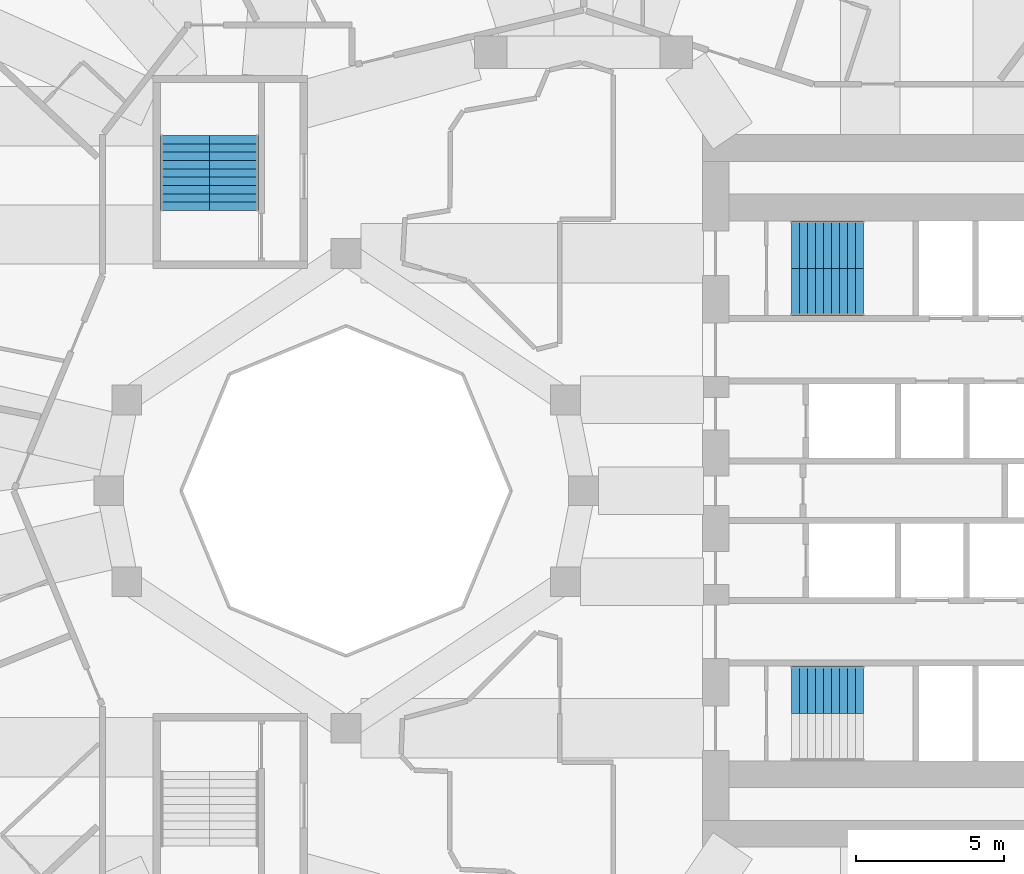
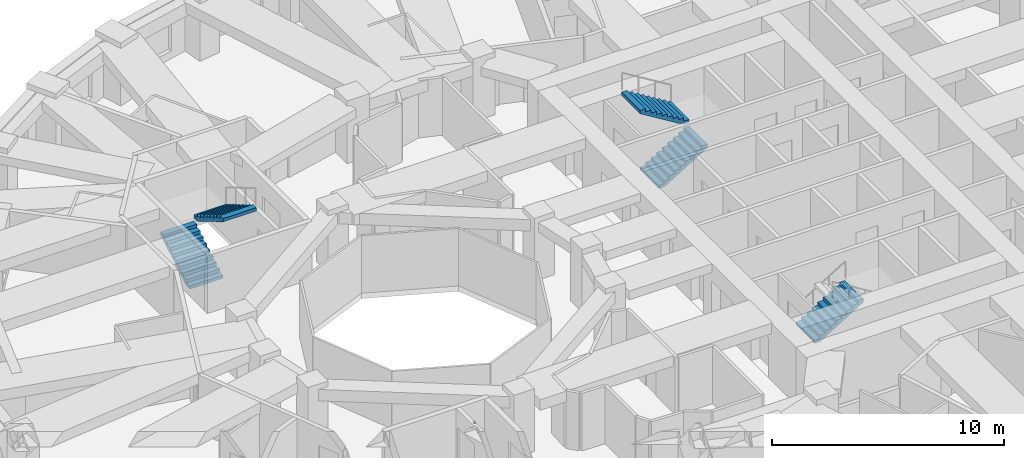
# One storey, part 10 of 13: 5 stair flights, 3 elements without a shape of their own.
"""IFC4 building model written with IfcOpenShell, lengths in metres."""

import ifcopenshell
import ifcopenshell.guid

model = None  # the IFC model being written
_history = None  # IfcOwnerHistory: only IFC2X3 demands one
_inside = {}  # id of a spatial element -> (the spatial element, [elements in it])
_under = {}  # id of a project, library or spatial element -> (it, [spatial elements below it])
_declared = {}  # id of a project -> (the project, [libraries it declares])
_typed = {}  # id of a type object -> (the type object, [elements of that type])
_made_of = {}  # id of a material, layer set ... -> (it, [elements and type objects made of it])


def new_model(schema):
    """Start an empty IFC model of exactly this schema.

    Asked for "IFC4X3", IfcOpenShell would pick the latest addendum, in which some entities
    have other attributes; the version numbers below select the first issue.
    IFC2X3 requires an IfcOwnerHistory on every rooted entity: one is made here for all.
    """
    global model, _history
    if schema == "IFC4X3":
        model = ifcopenshell.file(schema_version=(4, 3, 0, 0))
    else:
        model = ifcopenshell.file(schema=schema)
    _inside.clear()
    _under.clear()
    _declared.clear()
    _typed.clear()
    _made_of.clear()
    _history = None
    if model.schema == "IFC2X3":
        org = make("IfcOrganization", Name="unknown")
        user = make(
            "IfcPersonAndOrganization",
            ThePerson=make("IfcPerson", FamilyName="unknown"),
            TheOrganization=org,
        )
        app = make(
            "IfcApplication",
            ApplicationDeveloper=org,
            Version="unknown",
            ApplicationFullName="unknown",
            ApplicationIdentifier="unknown",
        )
        _history = make(
            "IfcOwnerHistory",
            OwningUser=user,
            OwningApplication=app,
            ChangeAction="ADDED",
            CreationDate=0,
        )
    return model


def make(cls, **values):
    """One entity of the class cls with the attributes given. An attribute that is None is left unset."""
    return model.create_entity(
        cls, **{name: value for name, value in values.items() if value is not None}
    )


def rooted(cls, **values):
    """An entity with a GlobalId (a new one), such as an element, a storey or a relation."""
    return make(cls, GlobalId=ifcopenshell.guid.new(), OwnerHistory=_history, **values)


def si_unit(unit_type, name, prefix=None):
    """IfcSIUnit, for example si_unit("LENGTHUNIT", "METRE", prefix="MILLI")."""
    return make("IfcSIUnit", UnitType=unit_type, Prefix=prefix, Name=name)


def assignment(units):
    """IfcUnitAssignment: the units of a project."""
    return None if units is None else make("IfcUnitAssignment", Units=units)


def point(xyz):
    """IfcCartesianPoint."""
    return None if xyz is None else make("IfcCartesianPoint", Coordinates=xyz)


def direction(xyz):
    """IfcDirection."""
    return None if xyz is None else make("IfcDirection", DirectionRatios=xyz)


def frame(location, z_axis=None, x_axis=None):
    """IfcAxis2Placement3D, a coordinate frame: its origin and axes. An axis left out is left unset."""
    return make(
        "IfcAxis2Placement3D",
        Location=point(location),
        Axis=direction(z_axis),
        RefDirection=direction(x_axis),
    )


def origin():
    """The frame at (0, 0, 0) with its axes left unset."""
    return frame((0.0, 0.0, 0.0))


def place(relative_to, where):
    """IfcLocalPlacement: puts the frame where relative to a parent placement (None: the world)."""
    return make(
        "IfcLocalPlacement", PlacementRelTo=relative_to, RelativePlacement=where
    )


def context(
    kind, dimensions, precision=None, world=None, true_north=None, identifier=None
):
    """IfcGeometricRepresentationContext, for example the 3D "Model" context."""
    return make(
        "IfcGeometricRepresentationContext",
        ContextIdentifier=identifier,
        ContextType=kind,
        CoordinateSpaceDimension=dimensions,
        Precision=precision,
        WorldCoordinateSystem=world,
        TrueNorth=true_north,
    )


def subcontext(parent, identifier, kind, view, scale=None):
    """IfcGeometricRepresentationSubContext, for example "Body" below "Model"."""
    return make(
        "IfcGeometricRepresentationSubContext",
        ContextIdentifier=identifier,
        ContextType=kind,
        ParentContext=parent,
        TargetScale=scale,
        TargetView=view,
    )


def project(units=None, contexts=None):
    """IfcProject with its units and contexts."""
    return rooted(
        "IfcProject",
        Name="project",
        RepresentationContexts=contexts,
        UnitsInContext=assignment(units),
    )


def spatial(cls, under=None, at=None, **own):
    """A site, building, storey or space (cls), placed at a placement, below another one or the project."""
    s = rooted(cls, ObjectPlacement=at, **own)
    if under is not None:
        _under.setdefault(under.id(), (under, []))[1].append(s)
    return s


def polyline(points):
    """IfcPolyline through the points."""
    return make("IfcPolyline", Points=[point(p) for p in points])


def outline(outer, holes=None, kind="AREA"):
    """IfcArbitraryClosedProfileDef: a profile drawn as a closed curve; with holes, ...WithVoids."""
    if holes is None:
        return make("IfcArbitraryClosedProfileDef", ProfileType=kind, OuterCurve=outer)
    return make(
        "IfcArbitraryProfileDefWithVoids",
        ProfileType=kind,
        OuterCurve=outer,
        InnerCurves=holes,
    )


def extrude(swept, where, along, depth):
    """IfcExtrudedAreaSolid: the profile swept, set in the frame where, extruded along a direction by depth."""
    return make(
        "IfcExtrudedAreaSolid",
        SweptArea=swept,
        Position=where,
        ExtrudedDirection=direction(along),
        Depth=depth,
    )


def shape(context_of_items, identifier, shape_type, items):
    """IfcShapeRepresentation: the items that make up one representation, for example the "Body"."""
    return make(
        "IfcShapeRepresentation",
        ContextOfItems=context_of_items,
        RepresentationIdentifier=identifier,
        RepresentationType=shape_type,
        Items=items,
    )


def material(Name=None, Category=None):
    """IfcMaterial."""
    return make("IfcMaterial", Name=Name, Category=Category)


def made_of(thing, what):
    """Note that an element or type object is made of a material, layer set ...; save() writes the relation."""
    if what is not None:
        _made_of.setdefault(what.id(), (what, []))[1].append(thing)
    return thing


def type_object(cls, material=None, **own):
    """A type object (cls), such as IfcWallType, which elements share."""
    return made_of(rooted(cls, **own), material)


def element(
    cls,
    number,
    at=None,
    inside=None,
    cuts=None,
    type_object=None,
    material=None,
    context=None,
    identifier="Body",
    shape_type=None,
    held_by="IfcProductDefinitionShape",
    body=None,
    shapes=None,
    **own,
):
    """One element of the class cls, such as IfcWall. Its Tag is "e" and its number.

    at: its placement. inside: the storey or other place that contains it. cuts: it is an
    opening in that element (IfcRelVoidsElement). A single representation is given by context,
    identifier, shape_type and body (its items); several are given by shapes. held_by: the class
    of the entity that holds the representations. save() writes the other relations.
    """
    e = rooted(cls, Tag="e%d" % number, ObjectPlacement=at, **own)
    if body is not None:
        shapes = [shape(context, identifier, shape_type, body)]
    if shapes is not None:
        e.Representation = make(held_by, Representations=shapes)
    if inside is not None:
        _inside.setdefault(inside.id(), (inside, []))[1].append(e)
    if cuts is not None:
        rooted(
            "IfcRelVoidsElement", RelatingBuildingElement=cuts, RelatedOpeningElement=e
        )
    if type_object is not None:
        _typed.setdefault(type_object.id(), (type_object, []))[1].append(e)
    return made_of(e, material)


def aggregate(whole, parts):
    """IfcRelAggregates: a whole, such as a stair, and the parts it consists of."""
    return rooted("IfcRelAggregates", RelatingObject=whole, RelatedObjects=parts)


def save(model, path):
    """Write the relations noted so far, then the file.

    IfcRelAggregates (storeys below a building ...), IfcRelContainedInSpatialStructure (elements
    in a storey), IfcRelDefinesByType, IfcRelAssociatesMaterial and IfcRelDeclares: one each for
    every whole, place, type object, material and project.
    """
    for whole, parts in _under.values():
        aggregate(whole, parts)
    for where, things in _inside.values():
        rooted(
            "IfcRelContainedInSpatialStructure",
            RelatedElements=things,
            RelatingStructure=where,
        )
    for kind, things in _typed.values():
        rooted("IfcRelDefinesByType", RelatedObjects=things, RelatingType=kind)
    for what, things in _made_of.values():
        rooted("IfcRelAssociatesMaterial", RelatedObjects=things, RelatingMaterial=what)
    for by, libraries in _declared.values():
        rooted("IfcRelDeclares", RelatingContext=by, RelatedDefinitions=libraries)
    model.write(path)


model = new_model("IFC4")

# Units and contexts
model_context = context("Model", 3, precision=1e-05, world=origin(), true_north=direction((0.0, 1.0)))
body_context = subcontext(model_context, "Body", "Model", "MODEL_VIEW")
ifc_project = project(units=[si_unit("LENGTHUNIT", "METRE"), si_unit("AREAUNIT", "SQUARE_METRE"), si_unit("VOLUMEUNIT", "CUBIC_METRE"), si_unit("PLANEANGLEUNIT", "RADIAN"), si_unit("MASSUNIT", "GRAM", prefix="KILO")], contexts=[model_context])

# Site, building, storey
site_placement = place(None, origin())
site = spatial("IfcSite", under=ifc_project, at=site_placement, CompositionType="ELEMENT")
building_placement = place(site_placement, origin())
building = spatial("IfcBuilding", under=site, at=building_placement, Name="Taillehof Tower", CompositionType="ELEMENT")
storey_placement = place(building_placement, frame((0.0, 0.0, 74.5)))
storey = spatial("IfcBuildingStorey", under=building, at=storey_placement, Name="L20", CompositionType="ELEMENT", Elevation=74.5)

# Stair, stair flights
ifc_material_1 = material(Name="Concrete C40/50", Category="concrete")
stair_type = type_object("IfcStairType", Name="Exit stair half-turn", PredefinedType="HALF_TURN_STAIR", material=ifc_material_1)
stair_1_placement = place(storey_placement, origin())
stair_1 = element("IfcStair", 1, at=stair_1_placement, inside=storey, type_object=stair_type, Name="Exit stair S1", PredefinedType="HALF_TURN_STAIR")
ifc_material_2 = material(Name="Concrete C40/50", Category="concrete")
stair_flight_type_1 = type_object("IfcStairFlightType", Name="Stair flight 1600 riser 165.0 going 270", PredefinedType="STRAIGHT", material=ifc_material_2)
stair_flight_1_placement = place(storey_placement, frame((7.0, 6.699951171875, 0.0), z_axis=(0.0, 0.0, 1.0), x_axis=(1.0, 0.0, 0.0)))
stair_flight_1 = element("IfcStairFlight", 2, at=stair_flight_1_placement, type_object=stair_flight_type_1, Name="S1 flight 1", NumberOfRisers=10, NumberOfTreads=9, PredefinedType="STRAIGHT", RiserHeight=0.165, TreadLength=0.27, context=body_context, shape_type="SweptSolid", body=[
    extrude(outline(polyline([(0.0, 0.0), (0.0, 0.00537109375), (0.0, 0.0107421875), (0.0, 0.015869140625), (0.0, 0.021240234375), (0.0, 0.026611328125), (0.0, 0.031982421875), (0.0, 0.037353515625), (0.0, 0.04248046875), (0.0, 0.0478515625), (0.0, 0.05322265625), (0.0, 0.05859375), (0.0, 0.06396484375), (0.0, 0.069091796875), (0.0, 0.074462890625), (0.0, 0.079833984375), (0.0, 0.085205078125), (0.0, 0.090576171875), (0.0, 0.095703125), (0.0, 0.10107421875), (0.0, 0.1064453125), (0.0, 0.11181640625), (0.0, 0.1171875), (0.0, 0.122314453125), (0.0, 0.127685546875), (0.0, 0.133056640625), (0.0, 0.138427734375), (0.0, 0.143798828125), (0.0, 0.14892578125), (0.0, 0.154296875), (0.0, 0.15966796875), (0.0, 0.1650390625), (0.27001953125, 0.1650390625), (0.27001953125, 0.330078125), (0.5400390625, 0.330078125), (0.5400390625, 0.4951171875), (0.81005859375, 0.4951171875), (0.81005859375, 0.659912109375), (1.080078125, 0.659912109375), (1.080078125, 0.824951171875), (1.35009765625, 0.824951171875), (1.35009765625, 0.989990234375), (1.6201171875, 0.989990234375), (1.6201171875, 1.155029296875), (1.889892578125, 1.155029296875), (1.889892578125, 1.320068359375), (2.159912109375, 1.320068359375), (2.159912109375, 1.485107421875), (2.429931640625, 1.485107421875), (2.429931640625, 1.479248046875), (2.429931640625, 1.4736328125), (2.429931640625, 1.468017578125), (2.429931640625, 1.46240234375), (2.429931640625, 1.45654296875), (2.429931640625, 1.450927734375), (2.429931640625, 1.4453125), (2.429931640625, 1.439697265625), (2.429931640625, 1.43408203125), (2.429931640625, 1.42822265625), (2.429931640625, 1.422607421875), (2.429931640625, 1.4169921875), (2.429931640625, 1.411376953125), (2.429931640625, 1.40576171875), (2.429931640625, 1.39990234375), (2.429931640625, 1.394287109375), (2.429931640625, 1.388671875), (2.429931640625, 1.383056640625), (2.429931640625, 1.37744140625), (2.429931640625, 1.37158203125), (2.429931640625, 1.365966796875), (2.429931640625, 1.3603515625), (2.429931640625, 1.354736328125), (2.429931640625, 1.348876953125), (2.429931640625, 1.34326171875), (2.429931640625, 1.337646484375), (2.429931640625, 1.33203125), (2.429931640625, 1.326416015625), (2.429931640625, 1.320556640625), (2.429931640625, 1.31494140625), (2.429931640625, 1.309326171875), (0.287353515625, 0.0), (0.0, 0.0)])), frame((0.0, 0.800048828125, 0.0), z_axis=(0.0, -1.0, 0.0), x_axis=(1.0, 0.0, 0.0)), (0.0, 0.0, 1.0), 1.6),
])
stair_flight_2_placement = place(storey_placement, frame((9.429931640625, 8.300048828125, 1.64990234375), z_axis=(0.0, 0.0, 1.0), x_axis=(-1.0, 0.0, 0.0)))
stair_flight_2 = element("IfcStairFlight", 3, at=stair_flight_2_placement, type_object=stair_flight_type_1, Name="S1 flight 2", NumberOfRisers=10, NumberOfTreads=9, PredefinedType="STRAIGHT", RiserHeight=0.165, TreadLength=0.27, context=body_context, shape_type="SweptSolid", body=[
    extrude(outline(polyline([(0.0, 0.0), (0.0, 0.00537109375), (0.0, 0.0107421875), (0.0, 0.015869140625), (0.0, 0.021240234375), (0.0, 0.026611328125), (0.0, 0.031982421875), (0.0, 0.037353515625), (0.0, 0.04248046875), (0.0, 0.0478515625), (0.0, 0.05322265625), (0.0, 0.05859375), (0.0, 0.06396484375), (0.0, 0.069091796875), (0.0, 0.074462890625), (0.0, 0.079833984375), (0.0, 0.085205078125), (0.0, 0.090576171875), (0.0, 0.095703125), (0.0, 0.10107421875), (0.0, 0.1064453125), (0.0, 0.11181640625), (0.0, 0.1171875), (0.0, 0.122314453125), (0.0, 0.127685546875), (0.0, 0.133056640625), (0.0, 0.138427734375), (0.0, 0.143798828125), (0.0, 0.14892578125), (0.0, 0.154296875), (0.0, 0.15966796875), (0.0, 0.1650390625), (0.27001953125, 0.1650390625), (0.27001953125, 0.330078125), (0.5400390625, 0.330078125), (0.5400390625, 0.4951171875), (0.81005859375, 0.4951171875), (0.81005859375, 0.659912109375), (1.080078125, 0.659912109375), (1.080078125, 0.824951171875), (1.35009765625, 0.824951171875), (1.35009765625, 0.989990234375), (1.6201171875, 0.989990234375), (1.6201171875, 1.155029296875), (1.889892578125, 1.155029296875), (1.889892578125, 1.320068359375), (2.159912109375, 1.320068359375), (2.159912109375, 1.485107421875), (2.429931640625, 1.485107421875), (2.429931640625, 1.479248046875), (2.429931640625, 1.4736328125), (2.429931640625, 1.468017578125), (2.429931640625, 1.46240234375), (2.429931640625, 1.45654296875), (2.429931640625, 1.450927734375), (2.429931640625, 1.4453125), (2.429931640625, 1.439697265625), (2.429931640625, 1.43408203125), (2.429931640625, 1.42822265625), (2.429931640625, 1.422607421875), (2.429931640625, 1.4169921875), (2.429931640625, 1.411376953125), (2.429931640625, 1.40576171875), (2.429931640625, 1.39990234375), (2.429931640625, 1.394287109375), (2.429931640625, 1.388671875), (2.429931640625, 1.383056640625), (2.429931640625, 1.37744140625), (2.429931640625, 1.37158203125), (2.429931640625, 1.365966796875), (2.429931640625, 1.3603515625), (2.429931640625, 1.354736328125), (2.429931640625, 1.348876953125), (2.429931640625, 1.34326171875), (2.429931640625, 1.337646484375), (2.429931640625, 1.33203125), (2.429931640625, 1.326416015625), (2.429931640625, 1.320556640625), (2.429931640625, 1.31494140625), (2.429931640625, 1.309326171875), (0.287353515625, 0.0), (0.0, 0.0)])), frame((0.0, 0.800048828125, 0.0), z_axis=(0.0, -1.0, 0.0), x_axis=(1.0, 0.0, 0.0)), (0.0, 0.0, 1.0), 1.6),
])
aggregate(stair_1, [stair_flight_1, stair_flight_2])

# Stair, stair flight
stair_2_placement = place(storey_placement, origin())
stair_2 = element("IfcStair", 4, at=stair_2_placement, inside=storey, type_object=stair_type, Name="Exit stair S2", PredefinedType="HALF_TURN_STAIR")
stair_flight_3_placement = place(storey_placement, frame((7.0, -6.699951171875, 0.0), z_axis=(0.0, 0.0, 1.0), x_axis=(1.0, 0.0, 0.0)))
stair_flight_3 = element("IfcStairFlight", 5, at=stair_flight_3_placement, type_object=stair_flight_type_1, Name="S2 flight 1", NumberOfRisers=10, NumberOfTreads=9, PredefinedType="STRAIGHT", RiserHeight=0.165, TreadLength=0.27, context=body_context, shape_type="SweptSolid", body=[
    extrude(outline(polyline([(0.0, 0.0), (0.0, 0.00537109375), (0.0, 0.0107421875), (0.0, 0.015869140625), (0.0, 0.021240234375), (0.0, 0.026611328125), (0.0, 0.031982421875), (0.0, 0.037353515625), (0.0, 0.04248046875), (0.0, 0.0478515625), (0.0, 0.05322265625), (0.0, 0.05859375), (0.0, 0.06396484375), (0.0, 0.069091796875), (0.0, 0.074462890625), (0.0, 0.079833984375), (0.0, 0.085205078125), (0.0, 0.090576171875), (0.0, 0.095703125), (0.0, 0.10107421875), (0.0, 0.1064453125), (0.0, 0.11181640625), (0.0, 0.1171875), (0.0, 0.122314453125), (0.0, 0.127685546875), (0.0, 0.133056640625), (0.0, 0.138427734375), (0.0, 0.143798828125), (0.0, 0.14892578125), (0.0, 0.154296875), (0.0, 0.15966796875), (0.0, 0.1650390625), (0.27001953125, 0.1650390625), (0.27001953125, 0.330078125), (0.5400390625, 0.330078125), (0.5400390625, 0.4951171875), (0.81005859375, 0.4951171875), (0.81005859375, 0.659912109375), (1.080078125, 0.659912109375), (1.080078125, 0.824951171875), (1.35009765625, 0.824951171875), (1.35009765625, 0.989990234375), (1.6201171875, 0.989990234375), (1.6201171875, 1.155029296875), (1.889892578125, 1.155029296875), (1.889892578125, 1.320068359375), (2.159912109375, 1.320068359375), (2.159912109375, 1.485107421875), (2.429931640625, 1.485107421875), (2.429931640625, 1.479248046875), (2.429931640625, 1.4736328125), (2.429931640625, 1.468017578125), (2.429931640625, 1.46240234375), (2.429931640625, 1.45654296875), (2.429931640625, 1.450927734375), (2.429931640625, 1.4453125), (2.429931640625, 1.439697265625), (2.429931640625, 1.43408203125), (2.429931640625, 1.42822265625), (2.429931640625, 1.422607421875), (2.429931640625, 1.4169921875), (2.429931640625, 1.411376953125), (2.429931640625, 1.40576171875), (2.429931640625, 1.39990234375), (2.429931640625, 1.394287109375), (2.429931640625, 1.388671875), (2.429931640625, 1.383056640625), (2.429931640625, 1.37744140625), (2.429931640625, 1.37158203125), (2.429931640625, 1.365966796875), (2.429931640625, 1.3603515625), (2.429931640625, 1.354736328125), (2.429931640625, 1.348876953125), (2.429931640625, 1.34326171875), (2.429931640625, 1.337646484375), (2.429931640625, 1.33203125), (2.429931640625, 1.326416015625), (2.429931640625, 1.320556640625), (2.429931640625, 1.31494140625), (2.429931640625, 1.309326171875), (0.287353515625, 0.0), (0.0, 0.0)])), frame((0.0, 0.800048828125, 0.0), z_axis=(0.0, -1.0, 0.0), x_axis=(1.0, 0.0, 0.0)), (0.0, 0.0, 1.0), 1.6),
])
aggregate(stair_2, [stair_flight_3])

# Stair, stair flights
stair_3_placement = place(storey_placement, origin())
stair_3 = element("IfcStair", 6, at=stair_3_placement, inside=storey, type_object=stair_type, Name="Exit stair S3", PredefinedType="HALF_TURN_STAIR")
ifc_material_3 = material(Name="Concrete C40/50", Category="concrete")
stair_flight_type_2 = type_object("IfcStairFlightType", Name="Stair flight 1650 riser 165.0 going 280", PredefinedType="STRAIGHT", material=ifc_material_3)
stair_flight_4_placement = place(storey_placement, frame((-13.425048828125, 9.449951171875, 0.0), z_axis=(0.0, 0.0, 1.0), x_axis=(0.0, 1.0, 0.0)))
stair_flight_4 = element("IfcStairFlight", 7, at=stair_flight_4_placement, type_object=stair_flight_type_2, Name="S3 flight 1", NumberOfRisers=10, NumberOfTreads=9, PredefinedType="STRAIGHT", RiserHeight=0.165, TreadLength=0.28, context=body_context, shape_type="SweptSolid", body=[
    extrude(outline(polyline([(0.0, 0.0), (0.0, 0.00537109375), (0.0, 0.0107421875), (0.0, 0.015869140625), (0.0, 0.021240234375), (0.0, 0.026611328125), (0.0, 0.031982421875), (0.0, 0.037353515625), (0.0, 0.04248046875), (0.0, 0.0478515625), (0.0, 0.05322265625), (0.0, 0.05859375), (0.0, 0.06396484375), (0.0, 0.069091796875), (0.0, 0.074462890625), (0.0, 0.079833984375), (0.0, 0.085205078125), (0.0, 0.090576171875), (0.0, 0.095703125), (0.0, 0.10107421875), (0.0, 0.1064453125), (0.0, 0.11181640625), (0.0, 0.1171875), (0.0, 0.122314453125), (0.0, 0.127685546875), (0.0, 0.133056640625), (0.0, 0.138427734375), (0.0, 0.143798828125), (0.0, 0.14892578125), (0.0, 0.154296875), (0.0, 0.15966796875), (0.0, 0.1650390625), (0.280029296875, 0.1650390625), (0.280029296875, 0.330078125), (0.56005859375, 0.330078125), (0.56005859375, 0.4951171875), (0.840087890625, 0.4951171875), (0.840087890625, 0.659912109375), (1.1201171875, 0.659912109375), (1.1201171875, 0.824951171875), (1.39990234375, 0.824951171875), (1.39990234375, 0.989990234375), (1.679931640625, 0.989990234375), (1.679931640625, 1.155029296875), (1.9599609375, 1.155029296875), (1.9599609375, 1.320068359375), (2.239990234375, 1.320068359375), (2.239990234375, 1.485107421875), (2.52001953125, 1.485107421875), (2.52001953125, 1.4794921875), (2.52001953125, 1.473876953125), (2.52001953125, 1.46826171875), (2.52001953125, 1.462646484375), (2.52001953125, 1.45703125), (2.52001953125, 1.451416015625), (2.52001953125, 1.44580078125), (2.52001953125, 1.440185546875), (2.52001953125, 1.4345703125), (2.52001953125, 1.428955078125), (2.52001953125, 1.42333984375), (2.52001953125, 1.417724609375), (2.52001953125, 1.412109375), (2.52001953125, 1.406494140625), (2.52001953125, 1.40087890625), (2.52001953125, 1.395263671875), (2.52001953125, 1.3896484375), (2.52001953125, 1.384033203125), (2.52001953125, 1.37841796875), (2.52001953125, 1.372802734375), (2.52001953125, 1.3671875), (2.52001953125, 1.361572265625), (2.52001953125, 1.35595703125), (2.52001953125, 1.350341796875), (2.52001953125, 1.3447265625), (2.52001953125, 1.339111328125), (2.52001953125, 1.33349609375), (2.52001953125, 1.327880859375), (2.52001953125, 1.322265625), (2.52001953125, 1.316650390625), (2.52001953125, 1.31103515625), (0.295166015625, 0.0), (0.0, 0.0)])), frame((0.0, 0.824951171875, 0.0), z_axis=(0.0, -1.0, 0.0), x_axis=(1.0, 0.0, 0.0)), (0.0, 0.0, 1.0), 1.65),
])
stair_flight_5_placement = place(storey_placement, frame((-11.77490234375, 11.969970703125, 1.64990234375), z_axis=(0.0, 0.0, 1.0), x_axis=(0.0, -1.0, 0.0)))
stair_flight_5 = element("IfcStairFlight", 8, at=stair_flight_5_placement, type_object=stair_flight_type_2, Name="S3 flight 2", NumberOfRisers=10, NumberOfTreads=9, PredefinedType="STRAIGHT", RiserHeight=0.165, TreadLength=0.28, context=body_context, shape_type="SweptSolid", body=[
    extrude(outline(polyline([(0.0, 0.0), (0.0, 0.00537109375), (0.0, 0.0107421875), (0.0, 0.015869140625), (0.0, 0.021240234375), (0.0, 0.026611328125), (0.0, 0.031982421875), (0.0, 0.037353515625), (0.0, 0.04248046875), (0.0, 0.0478515625), (0.0, 0.05322265625), (0.0, 0.05859375), (0.0, 0.06396484375), (0.0, 0.069091796875), (0.0, 0.074462890625), (0.0, 0.079833984375), (0.0, 0.085205078125), (0.0, 0.090576171875), (0.0, 0.095703125), (0.0, 0.10107421875), (0.0, 0.1064453125), (0.0, 0.11181640625), (0.0, 0.1171875), (0.0, 0.122314453125), (0.0, 0.127685546875), (0.0, 0.133056640625), (0.0, 0.138427734375), (0.0, 0.143798828125), (0.0, 0.14892578125), (0.0, 0.154296875), (0.0, 0.15966796875), (0.0, 0.1650390625), (0.280029296875, 0.1650390625), (0.280029296875, 0.330078125), (0.56005859375, 0.330078125), (0.56005859375, 0.4951171875), (0.840087890625, 0.4951171875), (0.840087890625, 0.659912109375), (1.1201171875, 0.659912109375), (1.1201171875, 0.824951171875), (1.39990234375, 0.824951171875), (1.39990234375, 0.989990234375), (1.679931640625, 0.989990234375), (1.679931640625, 1.155029296875), (1.9599609375, 1.155029296875), (1.9599609375, 1.320068359375), (2.239990234375, 1.320068359375), (2.239990234375, 1.485107421875), (2.52001953125, 1.485107421875), (2.52001953125, 1.4794921875), (2.52001953125, 1.473876953125), (2.52001953125, 1.46826171875), (2.52001953125, 1.462646484375), (2.52001953125, 1.45703125), (2.52001953125, 1.451416015625), (2.52001953125, 1.44580078125), (2.52001953125, 1.440185546875), (2.52001953125, 1.4345703125), (2.52001953125, 1.428955078125), (2.52001953125, 1.42333984375), (2.52001953125, 1.417724609375), (2.52001953125, 1.412109375), (2.52001953125, 1.406494140625), (2.52001953125, 1.40087890625), (2.52001953125, 1.395263671875), (2.52001953125, 1.3896484375), (2.52001953125, 1.384033203125), (2.52001953125, 1.37841796875), (2.52001953125, 1.372802734375), (2.52001953125, 1.3671875), (2.52001953125, 1.361572265625), (2.52001953125, 1.35595703125), (2.52001953125, 1.350341796875), (2.52001953125, 1.3447265625), (2.52001953125, 1.339111328125), (2.52001953125, 1.33349609375), (2.52001953125, 1.327880859375), (2.52001953125, 1.322265625), (2.52001953125, 1.316650390625), (2.52001953125, 1.31103515625), (0.295166015625, 0.0), (0.0, 0.0)])), frame((0.0, 0.824951171875, 0.0), z_axis=(0.0, -1.0, 0.0), x_axis=(1.0, 0.0, 0.0)), (0.0, 0.0, 1.0), 1.65),
])
aggregate(stair_3, [stair_flight_4, stair_flight_5])

save(model, "model.ifc")
